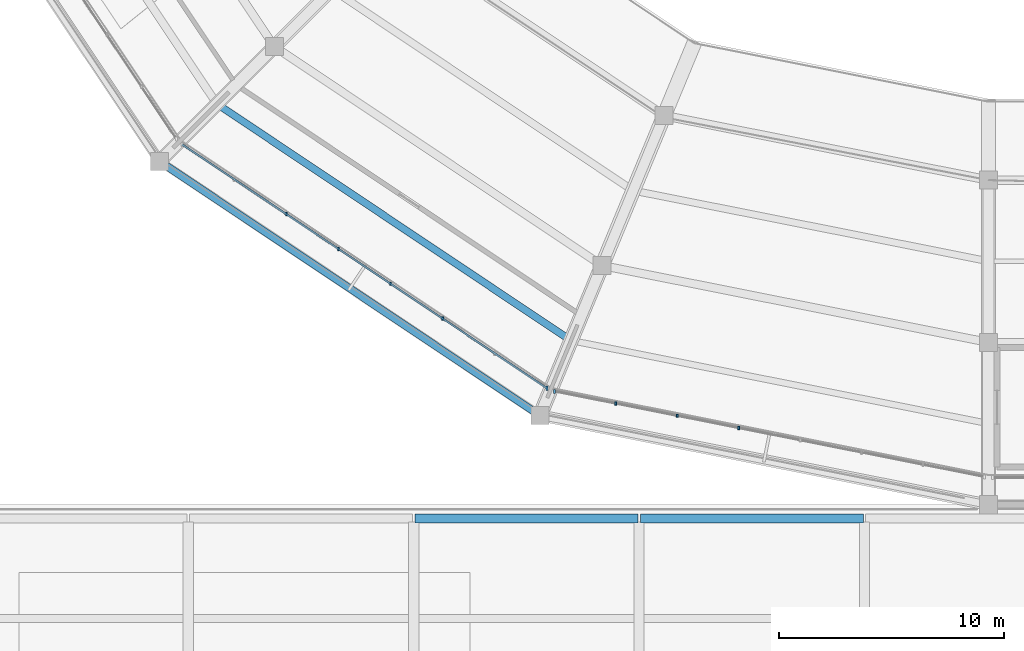
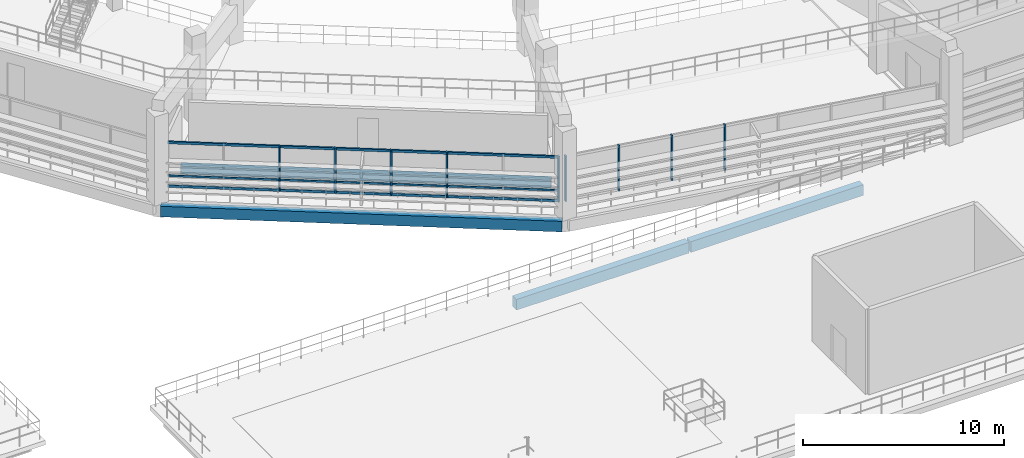
# One storey, part 5 of 96: 12 members, 4 beams, 2 elements without a shape of their own.
"""IFC4 building model written with IfcOpenShell, lengths in metres."""

import ifcopenshell
import ifcopenshell.guid

model = None  # the IFC model being written
_history = None  # IfcOwnerHistory: only IFC2X3 demands one
_inside = {}  # id of a spatial element -> (the spatial element, [elements in it])
_under = {}  # id of a project, library or spatial element -> (it, [spatial elements below it])
_declared = {}  # id of a project -> (the project, [libraries it declares])
_typed = {}  # id of a type object -> (the type object, [elements of that type])
_made_of = {}  # id of a material, layer set ... -> (it, [elements and type objects made of it])


def new_model(schema):
    """Start an empty IFC model of exactly this schema.

    Asked for "IFC4X3", IfcOpenShell would pick the latest addendum, in which some entities
    have other attributes; the version numbers below select the first issue.
    IFC2X3 requires an IfcOwnerHistory on every rooted entity: one is made here for all.
    """
    global model, _history
    if schema == "IFC4X3":
        model = ifcopenshell.file(schema_version=(4, 3, 0, 0))
    else:
        model = ifcopenshell.file(schema=schema)
    _inside.clear()
    _under.clear()
    _declared.clear()
    _typed.clear()
    _made_of.clear()
    _history = None
    if model.schema == "IFC2X3":
        org = make("IfcOrganization", Name="unknown")
        user = make(
            "IfcPersonAndOrganization",
            ThePerson=make("IfcPerson", FamilyName="unknown"),
            TheOrganization=org,
        )
        app = make(
            "IfcApplication",
            ApplicationDeveloper=org,
            Version="unknown",
            ApplicationFullName="unknown",
            ApplicationIdentifier="unknown",
        )
        _history = make(
            "IfcOwnerHistory",
            OwningUser=user,
            OwningApplication=app,
            ChangeAction="ADDED",
            CreationDate=0,
        )
    return model


def make(cls, **values):
    """One entity of the class cls with the attributes given. An attribute that is None is left unset."""
    return model.create_entity(
        cls, **{name: value for name, value in values.items() if value is not None}
    )


def rooted(cls, **values):
    """An entity with a GlobalId (a new one), such as an element, a storey or a relation."""
    return make(cls, GlobalId=ifcopenshell.guid.new(), OwnerHistory=_history, **values)


def si_unit(unit_type, name, prefix=None):
    """IfcSIUnit, for example si_unit("LENGTHUNIT", "METRE", prefix="MILLI")."""
    return make("IfcSIUnit", UnitType=unit_type, Prefix=prefix, Name=name)


def assignment(units):
    """IfcUnitAssignment: the units of a project."""
    return None if units is None else make("IfcUnitAssignment", Units=units)


def point(xyz):
    """IfcCartesianPoint."""
    return None if xyz is None else make("IfcCartesianPoint", Coordinates=xyz)


def direction(xyz):
    """IfcDirection."""
    return None if xyz is None else make("IfcDirection", DirectionRatios=xyz)


def frame(location, z_axis=None, x_axis=None):
    """IfcAxis2Placement3D, a coordinate frame: its origin and axes. An axis left out is left unset."""
    return make(
        "IfcAxis2Placement3D",
        Location=point(location),
        Axis=direction(z_axis),
        RefDirection=direction(x_axis),
    )


def frame_2d(location, x_axis=None):
    """IfcAxis2Placement2D, a coordinate frame in the plane: its origin and x axis."""
    return make(
        "IfcAxis2Placement2D", Location=point(location), RefDirection=direction(x_axis)
    )


def origin():
    """The frame at (0, 0, 0) with its axes left unset."""
    return frame((0.0, 0.0, 0.0))


def origin_2d():
    """The frame at (0, 0) in the plane with its x axis left unset."""
    return frame_2d((0.0, 0.0))


def place(relative_to, where):
    """IfcLocalPlacement: puts the frame where relative to a parent placement (None: the world)."""
    return make(
        "IfcLocalPlacement", PlacementRelTo=relative_to, RelativePlacement=where
    )


def context(
    kind, dimensions, precision=None, world=None, true_north=None, identifier=None
):
    """IfcGeometricRepresentationContext, for example the 3D "Model" context."""
    return make(
        "IfcGeometricRepresentationContext",
        ContextIdentifier=identifier,
        ContextType=kind,
        CoordinateSpaceDimension=dimensions,
        Precision=precision,
        WorldCoordinateSystem=world,
        TrueNorth=true_north,
    )


def subcontext(parent, identifier, kind, view, scale=None):
    """IfcGeometricRepresentationSubContext, for example "Body" below "Model"."""
    return make(
        "IfcGeometricRepresentationSubContext",
        ContextIdentifier=identifier,
        ContextType=kind,
        ParentContext=parent,
        TargetScale=scale,
        TargetView=view,
    )


def project(units=None, contexts=None):
    """IfcProject with its units and contexts."""
    return rooted(
        "IfcProject",
        Name="project",
        RepresentationContexts=contexts,
        UnitsInContext=assignment(units),
    )


def spatial(cls, under=None, at=None, **own):
    """A site, building, storey or space (cls), placed at a placement, below another one or the project."""
    s = rooted(cls, ObjectPlacement=at, **own)
    if under is not None:
        _under.setdefault(under.id(), (under, []))[1].append(s)
    return s


def profile(cls, at=None, kind="AREA", **sizes):
    """A parametric profile (cls). Its sizes go by their IFC names, for example OverallWidth=200.0."""
    return make(cls, ProfileType=kind, Position=at, **sizes)


def rectangle(**sizes):
    """IfcRectangleProfileDef."""
    return profile("IfcRectangleProfileDef", **sizes)


def extrude(swept, where, along, depth):
    """IfcExtrudedAreaSolid: the profile swept, set in the frame where, extruded along a direction by depth."""
    return make(
        "IfcExtrudedAreaSolid",
        SweptArea=swept,
        Position=where,
        ExtrudedDirection=direction(along),
        Depth=depth,
    )


def shape(context_of_items, identifier, shape_type, items):
    """IfcShapeRepresentation: the items that make up one representation, for example the "Body"."""
    return make(
        "IfcShapeRepresentation",
        ContextOfItems=context_of_items,
        RepresentationIdentifier=identifier,
        RepresentationType=shape_type,
        Items=items,
    )


def material(Name=None, Category=None):
    """IfcMaterial."""
    return make("IfcMaterial", Name=Name, Category=Category)


def material_profile(
    of_material, cross_section, Name=None, Category=None, Priority=None
):
    """IfcMaterialProfile: a cross section and its material."""
    return make(
        "IfcMaterialProfile",
        Name=Name,
        Material=of_material,
        Profile=cross_section,
        Priority=Priority,
        Category=Category,
    )


def profile_set(profiles, Name=None, composite=None):
    """IfcMaterialProfileSet."""
    return make(
        "IfcMaterialProfileSet",
        Name=Name,
        MaterialProfiles=profiles,
        CompositeProfile=composite,
    )


def made_of(thing, what):
    """Note that an element or type object is made of a material, layer set ...; save() writes the relation."""
    if what is not None:
        _made_of.setdefault(what.id(), (what, []))[1].append(thing)
    return thing


def type_object(cls, material=None, **own):
    """A type object (cls), such as IfcWallType, which elements share."""
    return made_of(rooted(cls, **own), material)


def element(
    cls,
    number,
    at=None,
    inside=None,
    cuts=None,
    type_object=None,
    material=None,
    context=None,
    identifier="Body",
    shape_type=None,
    held_by="IfcProductDefinitionShape",
    body=None,
    shapes=None,
    **own,
):
    """One element of the class cls, such as IfcWall. Its Tag is "e" and its number.

    at: its placement. inside: the storey or other place that contains it. cuts: it is an
    opening in that element (IfcRelVoidsElement). A single representation is given by context,
    identifier, shape_type and body (its items); several are given by shapes. held_by: the class
    of the entity that holds the representations. save() writes the other relations.
    """
    e = rooted(cls, Tag="e%d" % number, ObjectPlacement=at, **own)
    if body is not None:
        shapes = [shape(context, identifier, shape_type, body)]
    if shapes is not None:
        e.Representation = make(held_by, Representations=shapes)
    if inside is not None:
        _inside.setdefault(inside.id(), (inside, []))[1].append(e)
    if cuts is not None:
        rooted(
            "IfcRelVoidsElement", RelatingBuildingElement=cuts, RelatedOpeningElement=e
        )
    if type_object is not None:
        _typed.setdefault(type_object.id(), (type_object, []))[1].append(e)
    return made_of(e, material)


def aggregate(whole, parts):
    """IfcRelAggregates: a whole, such as a stair, and the parts it consists of."""
    return rooted("IfcRelAggregates", RelatingObject=whole, RelatedObjects=parts)


def save(model, path):
    """Write the relations noted so far, then the file.

    IfcRelAggregates (storeys below a building ...), IfcRelContainedInSpatialStructure (elements
    in a storey), IfcRelDefinesByType, IfcRelAssociatesMaterial and IfcRelDeclares: one each for
    every whole, place, type object, material and project.
    """
    for whole, parts in _under.values():
        aggregate(whole, parts)
    for where, things in _inside.values():
        rooted(
            "IfcRelContainedInSpatialStructure",
            RelatedElements=things,
            RelatingStructure=where,
        )
    for kind, things in _typed.values():
        rooted("IfcRelDefinesByType", RelatedObjects=things, RelatingType=kind)
    for what, things in _made_of.values():
        rooted("IfcRelAssociatesMaterial", RelatedObjects=things, RelatingMaterial=what)
    for by, libraries in _declared.values():
        rooted("IfcRelDeclares", RelatingContext=by, RelatedDefinitions=libraries)
    model.write(path)


model = new_model("IFC4")

# Units and contexts
model_context = context("Model", 3, precision=1e-05, world=origin(), true_north=direction((0.0, 1.0)))
body_context = subcontext(model_context, "Body", "Model", "MODEL_VIEW")
ifc_project = project(units=[si_unit("LENGTHUNIT", "METRE"), si_unit("AREAUNIT", "SQUARE_METRE"), si_unit("VOLUMEUNIT", "CUBIC_METRE"), si_unit("PLANEANGLEUNIT", "RADIAN"), si_unit("MASSUNIT", "GRAM", prefix="KILO")], contexts=[model_context])

# Site, building, storey
site_placement = place(None, origin())
site = spatial("IfcSite", under=ifc_project, at=site_placement, CompositionType="ELEMENT")
building_placement = place(site_placement, origin())
building = spatial("IfcBuilding", under=site, at=building_placement, Name="Candeia Ridge Stadium", CompositionType="ELEMENT")
storey_placement = place(building_placement, frame((0.0, 0.0, 21.60009765625)))
storey = spatial("IfcBuildingStorey", under=building, at=storey_placement, Name="L04", CompositionType="ELEMENT", Elevation=21.60009765625)

# Curtain wall, member
ifc_material_1 = material(Name="Aluminium Anodized Warm Bronze", Category="aluminium")
curtain_wall_type = type_object("IfcCurtainWallType", Name="Concourse Recessed Unitised Curtain Wall", PredefinedType="NOTDEFINED", material=ifc_material_1)
curtain_wall_1_placement = place(storey_placement, origin())
curtain_wall_1 = element("IfcCurtainWall", 1, at=curtain_wall_1_placement, inside=storey, type_object=curtain_wall_type, Name="Unitised curtain wall CW-BWL-L04-16", PredefinedType="NOTDEFINED")
ifc_material_profile_1 = material_profile(ifc_material_1, rectangle(XDim=0.090087890625, YDim=0.179931640625, at=origin_2d()), Name="CWM-90x180", Category="aluminium")
ifc_profile_set_1 = profile_set([ifc_material_profile_1], Name="Aluminium Anodized Warm Bronze")
member_type_1 = type_object("IfcMemberType", Name="Curtain Wall Primary Mullion 90x180", PredefinedType="MULLION", material=ifc_profile_set_1)
member_1_placement = place(storey_placement, frame((51.409912109375, 24.1669921875, 0.0), z_axis=(0.0, 0.0, 1.0), x_axis=(1.0, 0.0, 0.0)))
member_1 = element("IfcMember", 2, at=member_1_placement, type_object=member_type_1, Name="Curtain wall mullion CW-BWL-L04-16-M7", PredefinedType="MULLION", context=body_context, shape_type="SweptSolid", body=[
    extrude(rectangle(XDim=0.090087890625, YDim=0.179931640625, at=origin_2d()), origin(), (0.0, 0.0, 1.0), 2.772216796875),
])

curtain_wall_2_placement = place(storey_placement, origin())
curtain_wall_2 = element("IfcCurtainWall", 3, at=curtain_wall_2_placement, inside=storey, type_object=curtain_wall_type, Name="Unitised curtain wall CW-BWL-L04-17", PredefinedType="NOTDEFINED")
member_2_placement = place(storey_placement, frame((51.736083984375, 24.03173828125, 0.0), z_axis=(0.0, 0.0, 1.0), x_axis=(1.0, 0.0, 0.0)))
member_2 = element("IfcMember", 4, at=member_2_placement, type_object=member_type_1, Name="Curtain wall mullion CW-BWL-L04-17-M0", PredefinedType="MULLION", context=body_context, shape_type="SweptSolid", body=[
    extrude(rectangle(XDim=0.090087890625, YDim=0.179931640625, at=origin_2d()), origin(), (0.0, 0.0, 1.0), 2.772216796875),
])

# Member
ifc_material_profile_2 = material_profile(ifc_material_1, rectangle(XDim=0.074951171875, YDim=0.14990234375, at=origin_2d()), Name="CWM-75x150", Category="aluminium")
ifc_profile_set_2 = profile_set([ifc_material_profile_2], Name="Aluminium Anodized Warm Bronze")
member_type_2 = type_object("IfcMemberType", Name="Curtain Wall Secondary Mullion 75x150", PredefinedType="MULLION", material=ifc_profile_set_2)
member_3_placement = place(storey_placement, frame((39.851806640625, 31.889892578125, 0.0), z_axis=(0.0, 0.0, 1.0), x_axis=(1.0, 0.0, 0.0)))
member_3 = element("IfcMember", 5, at=member_3_placement, type_object=member_type_2, Name="Curtain wall mullion CW-BWL-L04-16-M2", PredefinedType="MULLION", context=body_context, shape_type="SweptSolid", body=[
    extrude(rectangle(XDim=0.074951171875, YDim=0.14990234375, at=origin_2d()), origin(), (0.0, 0.0, 1.0), 2.772216796875),
])

member_4_placement = place(storey_placement, frame((42.16357421875, 30.34521484375, 0.0), z_axis=(0.0, 0.0, 1.0), x_axis=(1.0, 0.0, 0.0)))
member_4 = element("IfcMember", 6, at=member_4_placement, type_object=member_type_2, Name="Curtain wall mullion CW-BWL-L04-16-M3", PredefinedType="MULLION", context=body_context, shape_type="SweptSolid", body=[
    extrude(rectangle(XDim=0.074951171875, YDim=0.14990234375, at=origin_2d()), origin(), (0.0, 0.0, 1.0), 2.772216796875),
])

member_5_placement = place(storey_placement, frame((44.47509765625, 28.80078125, 0.0), z_axis=(0.0, 0.0, 1.0), x_axis=(1.0, 0.0, 0.0)))
member_5 = element("IfcMember", 7, at=member_5_placement, type_object=member_type_2, Name="Curtain wall mullion CW-BWL-L04-16-M4", PredefinedType="MULLION", context=body_context, shape_type="SweptSolid", body=[
    extrude(rectangle(XDim=0.074951171875, YDim=0.14990234375, at=origin_2d()), origin(), (0.0, 0.0, 1.0), 2.772216796875),
])

member_6_placement = place(storey_placement, frame((46.78662109375, 27.256103515625, 0.0), z_axis=(0.0, 0.0, 1.0), x_axis=(1.0, 0.0, 0.0)))
member_6 = element("IfcMember", 8, at=member_6_placement, type_object=member_type_2, Name="Curtain wall mullion CW-BWL-L04-16-M5", PredefinedType="MULLION", context=body_context, shape_type="SweptSolid", body=[
    extrude(rectangle(XDim=0.074951171875, YDim=0.14990234375, at=origin_2d()), origin(), (0.0, 0.0, 1.0), 2.772216796875),
])

member_7_placement = place(storey_placement, frame((54.462890625, 23.489501953125, 0.0), z_axis=(0.0, 0.0, 1.0), x_axis=(1.0, 0.0, 0.0)))
member_7 = element("IfcMember", 9, at=member_7_placement, type_object=member_type_2, Name="Curtain wall mullion CW-BWL-L04-17-M1", PredefinedType="MULLION", context=body_context, shape_type="SweptSolid", body=[
    extrude(rectangle(XDim=0.074951171875, YDim=0.14990234375, at=origin_2d()), origin(), (0.0, 0.0, 1.0), 2.772216796875),
])

member_8_placement = place(storey_placement, frame((57.189697265625, 22.947021484375, 0.0), z_axis=(0.0, 0.0, 1.0), x_axis=(1.0, 0.0, 0.0)))
member_8 = element("IfcMember", 10, at=member_8_placement, type_object=member_type_2, Name="Curtain wall mullion CW-BWL-L04-17-M2", PredefinedType="MULLION", context=body_context, shape_type="SweptSolid", body=[
    extrude(rectangle(XDim=0.074951171875, YDim=0.14990234375, at=origin_2d()), origin(), (0.0, 0.0, 1.0), 2.772216796875),
])

member_9_placement = place(storey_placement, frame((59.91650390625, 22.404541015625, 0.0), z_axis=(0.0, 0.0, 1.0), x_axis=(1.0, 0.0, 0.0)))
member_9 = element("IfcMember", 11, at=member_9_placement, type_object=member_type_2, Name="Curtain wall mullion CW-BWL-L04-17-M3", PredefinedType="MULLION", context=body_context, shape_type="SweptSolid", body=[
    extrude(rectangle(XDim=0.074951171875, YDim=0.14990234375, at=origin_2d()), origin(), (0.0, 0.0, 1.0), 2.772216796875),
])

aggregate(curtain_wall_2, [member_2, member_7, member_8, member_9])

ifc_material_profile_3 = material_profile(ifc_material_1, rectangle(XDim=0.074951171875, YDim=0.110107421875, at=origin_2d()), Name="CWT-75x110", Category="aluminium")
ifc_profile_set_3 = profile_set([ifc_material_profile_3], Name="Aluminium Anodized Warm Bronze")
member_type_3 = type_object("IfcMemberType", Name="Curtain Wall Secondary Transom 75x110", PredefinedType="USERDEFINED", material=ifc_profile_set_3)
member_10_placement = place(storey_placement, frame((35.228515625, 34.97900390625, 0.693115234375), z_axis=(0.831470840517, -0.555568394863, 0.0), x_axis=(0.555568394863, 0.831470840517, 0.0)))
member_10 = element("IfcMember", 12, at=member_10_placement, type_object=member_type_3, Name="Curtain wall transom CW-BWL-L04-16-T1", ObjectType="TRANSOM", PredefinedType="USERDEFINED", context=body_context, shape_type="SweptSolid", body=[
    extrude(rectangle(XDim=0.074951171875, YDim=0.110107421875, at=origin_2d()), origin(), (0.0, 0.0, 1.0), 19.461181640625),
])

ifc_material_profile_4 = material_profile(ifc_material_1, rectangle(XDim=0.090087890625, YDim=0.139892578125, at=origin_2d()), Name="CWT-90x140", Category="aluminium")
ifc_profile_set_4 = profile_set([ifc_material_profile_4], Name="Aluminium Anodized Warm Bronze")
member_type_4 = type_object("IfcMemberType", Name="Curtain Wall Transom 90x140", PredefinedType="USERDEFINED", material=ifc_profile_set_4)
member_11_placement = place(storey_placement, frame((35.228515625, 34.97900390625, 0.06982421875), z_axis=(0.831470840517, -0.555568394863, 0.0), x_axis=(0.555568394863, 0.831470840517, 0.0)))
member_11 = element("IfcMember", 13, at=member_11_placement, type_object=member_type_4, Name="Curtain wall transom CW-BWL-L04-16-T0", ObjectType="TRANSOM", PredefinedType="USERDEFINED", context=body_context, shape_type="SweptSolid", body=[
    extrude(rectangle(XDim=0.090087890625, YDim=0.139892578125, at=origin_2d()), origin(), (0.0, 0.0, 1.0), 19.461181640625),
])

member_12_placement = place(storey_placement, frame((35.228515625, 34.97900390625, 2.7021484375), z_axis=(0.831470840517, -0.555568394863, 0.0), x_axis=(0.555568394863, 0.831470840517, 0.0)))
member_12 = element("IfcMember", 14, at=member_12_placement, type_object=member_type_4, Name="Curtain wall transom CW-BWL-L04-16-T2", ObjectType="TRANSOM", PredefinedType="USERDEFINED", context=body_context, shape_type="SweptSolid", body=[
    extrude(rectangle(XDim=0.090087890625, YDim=0.139892578125, at=origin_2d()), origin(), (0.0, 0.0, 1.0), 19.461181640625),
])

aggregate(curtain_wall_1, [member_3, member_4, member_5, member_6, member_1, member_11, member_10, member_12])

# Beams
ifc_material_2 = material(Name="Concrete C40/50", Category="concrete")
ifc_material_profile_5 = material_profile(ifc_material_2, rectangle(XDim=0.320068359375, YDim=0.47998046875, at=origin_2d()), Name="RC320x480", Category="concrete")
ifc_profile_set_5 = profile_set([ifc_material_profile_5], Name="Concrete C40/50")
beam_type_1 = type_object("IfcBeamType", Name="Floor Joist RC320x480", PredefinedType="JOIST", material=ifc_profile_set_5)
beam_1_placement = place(storey_placement, frame((36.960693359375, 36.652587890625, -0.5), z_axis=(0.831467306639, -0.555573683674, 0.0), x_axis=(0.555573683674, 0.831467306639, 0.0)))
element("IfcBeam", 15, at=beam_1_placement, inside=storey, type_object=beam_type_1, Name="Concourse secondary joist BM-L04-0872", PredefinedType="JOIST", context=body_context, shape_type="SweptSolid", body=[
    extrude(rectangle(XDim=0.320068359375, YDim=0.47998046875, at=origin_2d()), origin(), (0.0, 0.0, 1.0), 18.440673828125),
])
ifc_material_profile_6 = material_profile(ifc_material_2, rectangle(XDim=0.330078125, YDim=0.639892578125, at=origin_2d()), Name="RC330x640", Category="concrete")
ifc_profile_set_6 = profile_set([ifc_material_profile_6], Name="Concrete C40/50")
beam_type_2 = type_object("IfcBeamType", Name="Spandrel Beam RC330x640", PredefinedType="SPANDREL", material=ifc_profile_set_6)
beam_2_placement = place(storey_placement, frame((34.363525390625, 34.1416015625, -0.580078125), z_axis=(0.831468647505, -0.555571676938, 0.0), x_axis=(0.555571676938, 0.831468647505, 0.0)))
element("IfcBeam", 16, at=beam_2_placement, inside=storey, type_object=beam_type_2, Name="Bowl perimeter spandrel BM-L04-0870", PredefinedType="SPANDREL", context=body_context, shape_type="SweptSolid", body=[
    extrude(rectangle(XDim=0.330078125, YDim=0.639892578125, at=origin_2d()), origin(), (0.0, 0.0, 1.0), 19.969482421875),
])
ifc_material_profile_7 = material_profile(ifc_material_2, rectangle(XDim=0.39990234375, YDim=0.64990234375, at=origin_2d()), Name="RC400x650", Category="concrete")
ifc_profile_set_7 = profile_set([ifc_material_profile_7], Name="Concrete C40/50")
beam_type_3 = type_object("IfcBeamType", Name="Wing Primary Girder RC400x650", PredefinedType="BEAM", material=ifc_profile_set_7)
for number, where, z_axis, x_axis, name in (
    (17, (45.550048828125, 18.39990234375, -0.60498046875), (1.0, 0.0, 0.0), (0.0, 1.0, 0.0), "Structural girder BM-L04-2474"),
    (18, (55.550048828125, 18.39990234375, -0.60498046875), (1.0, 0.0, 0.0), (0.0, 1.0, 0.0), "Structural girder BM-L04-2478"),
):
    element("IfcBeam", number, at=place(storey_placement, frame(where, z_axis=z_axis, x_axis=x_axis)), inside=storey, type_object=beam_type_3, Name=name, PredefinedType="BEAM", context=body_context, shape_type="SweptSolid", body=[
        extrude(rectangle(XDim=0.39990234375, YDim=0.64990234375, at=origin_2d()), origin(), (0.0, 0.0, 1.0), 9.89990234375),
    ])

save(model, "model.ifc")
